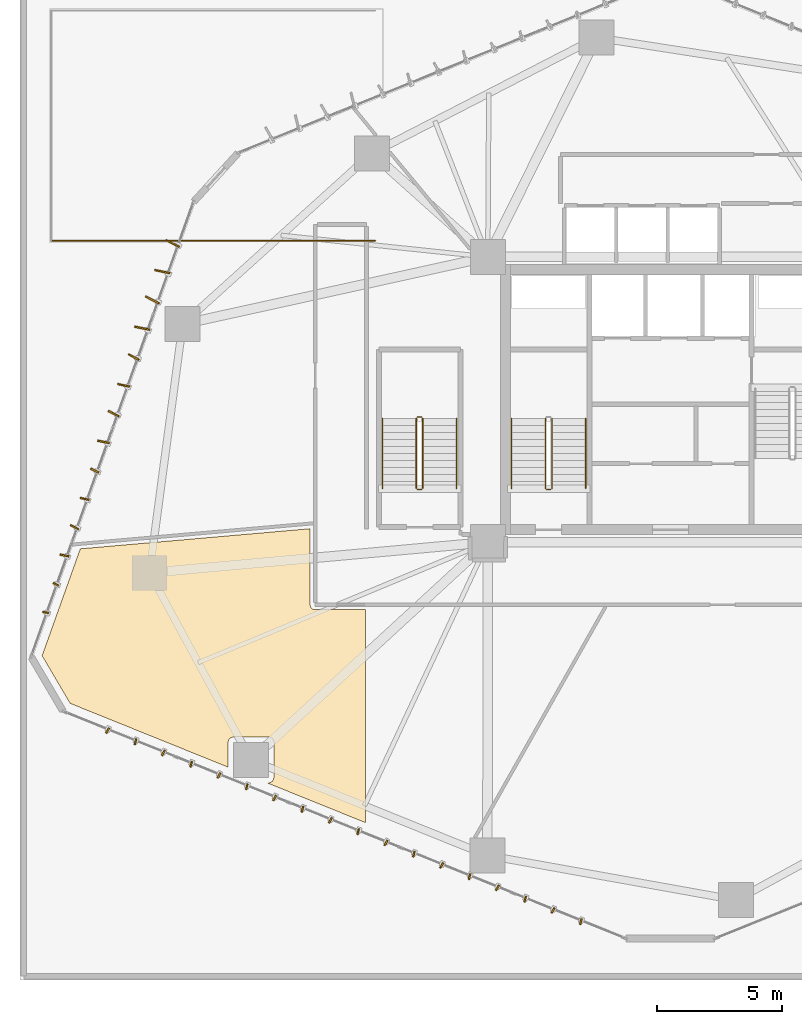
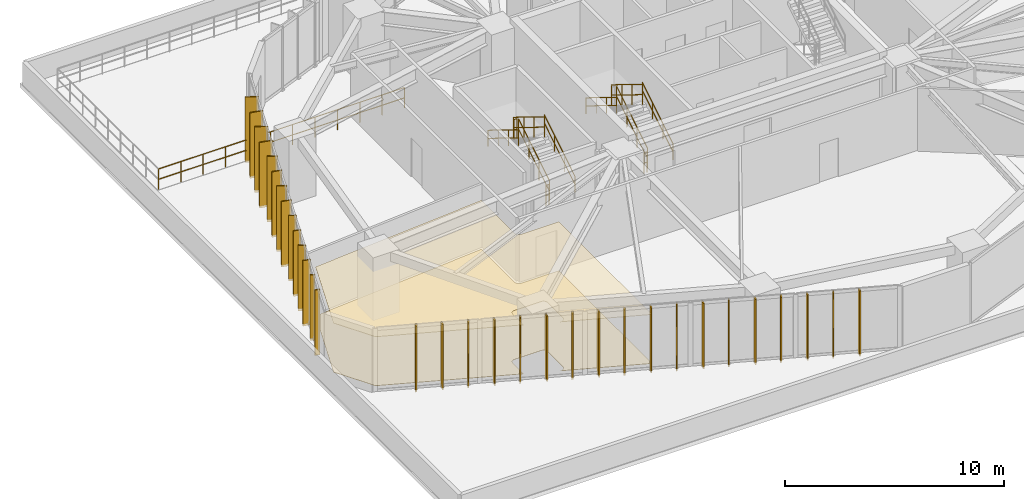
# One storey, part 21 of 23: 32 shading devices, 12 railings, 2 coverings.
"""IFC4 building model written with IfcOpenShell, lengths in metres."""

from ifc_helpers import new_model, si_unit, direction, frame, origin, origin_2d, place, context, subcontext, project, spatial, polyline, rectangle, circle, outline, extrude, source, transform, mapped, material, layer, layer_set, type_object, type_shapes, element, save


model = new_model("IFC4")

# Units and contexts
model_context = context("Model", 3, precision=1e-05, world=origin(), true_north=direction((0.0, 1.0)))
body_context = subcontext(model_context, "Body", "Model", "MODEL_VIEW")
ifc_project = project(units=[si_unit("LENGTHUNIT", "METRE"), si_unit("AREAUNIT", "SQUARE_METRE"), si_unit("VOLUMEUNIT", "CUBIC_METRE"), si_unit("PLANEANGLEUNIT", "RADIAN"), si_unit("MASSUNIT", "GRAM", prefix="KILO")], contexts=[model_context])

# Site, building, storey
site_placement = place(None, origin())
site = spatial("IfcSite", under=ifc_project, at=site_placement, CompositionType="ELEMENT")
building_placement = place(site_placement, origin())
building = spatial("IfcBuilding", under=site, at=building_placement, Name="Talar Marvaseh", CompositionType="ELEMENT")
storey_placement = place(building_placement, frame((0.0, 0.0, 24.0)))
storey = spatial("IfcBuildingStorey", under=building, at=storey_placement, Name="L05", CompositionType="ELEMENT", Elevation=24.0)

# Railings
ifc_material_1 = material(Name="Stainless Steel Grade 316", Category="steel")
railing_type_1 = type_object("IfcRailingType", Name="Brushed Stainless Wall Pitch Handrail 900", PredefinedType="HANDRAIL", material=ifc_material_1)
railing_1_placement = place(storey_placement, frame((22.610107421875, 27.64990234375, 0.172607421875)))
element("IfcRailing", 1, at=railing_1_placement, inside=storey, type_object=railing_type_1, Name="L05 ST-1 stair handrail 1", PredefinedType="HANDRAIL", context=body_context, shape_type="SweptSolid", body=[
    extrude(circle(Radius=0.02392578125, at=origin_2d()), frame((0.0, 0.0, 0.8759765625), z_axis=(0.0, 0.851089632645, 0.525020415988), x_axis=(-1.0, 0.0, 0.0)), (0.0, 0.0, 1.0), 3.2900390625),
    extrude(circle(Radius=0.02392578125, at=origin_2d()), frame((0.0, 0.0, 0.42578125), z_axis=(0.0, 0.851089632645, 0.525020415988), x_axis=(-1.0, 0.0, 0.0)), (0.0, 0.0, 1.0), 3.2900390625),
    extrude(circle(Radius=0.02099609375, at=origin_2d()), origin(), (0.0, 0.0, 1.0), 0.851806640625),
    extrude(circle(Radius=0.02099609375, at=origin_2d()), frame((0.0, 0.933349609375, 0.57568359375)), (0.0, 0.0, 1.0), 0.851806640625),
    extrude(circle(Radius=0.02099609375, at=origin_2d()), frame((0.0, 1.86669921875, 1.151611328125)), (0.0, 0.0, 1.0), 0.851806640625),
    extrude(circle(Radius=0.02099609375, at=origin_2d()), frame((0.0, 2.800048828125, 1.727294921875)), (0.0, 0.0, 1.0), 0.851806640625),
])
railing_2_placement = place(storey_placement, frame((19.64990234375, 30.449951171875, 2.07275390625)))
element("IfcRailing", 2, at=railing_2_placement, inside=storey, type_object=railing_type_1, Name="L05 ST-1 stair handrail 2", PredefinedType="HANDRAIL", context=body_context, shape_type="SweptSolid", body=[
    extrude(circle(Radius=0.02392578125, at=origin_2d()), frame((0.0, 0.0, 0.8759765625), z_axis=(0.0, -0.851089632645, 0.525020415988), x_axis=(1.0, 0.0, 0.0)), (0.0, 0.0, 1.0), 3.2900390625),
    extrude(circle(Radius=0.02392578125, at=origin_2d()), frame((0.0, 0.0, 0.42578125), z_axis=(0.0, -0.851089632645, 0.525020415988), x_axis=(1.0, 0.0, 0.0)), (0.0, 0.0, 1.0), 3.2900390625),
    extrude(circle(Radius=0.02099609375, at=origin_2d()), origin(), (0.0, 0.0, 1.0), 0.851806640625),
    extrude(circle(Radius=0.02099609375, at=origin_2d()), frame((0.0, -0.933349609375, 0.57568359375)), (0.0, 0.0, 1.0), 0.851806640625),
    extrude(circle(Radius=0.02099609375, at=origin_2d()), frame((0.0, -1.86669921875, 1.151611328125)), (0.0, 0.0, 1.0), 0.851806640625),
    extrude(circle(Radius=0.02099609375, at=origin_2d()), frame((0.0, -2.800048828125, 1.727294921875)), (0.0, 0.0, 1.0), 0.851806640625),
])
railing_3_placement = place(storey_placement, frame((17.449951171875, 27.64990234375, 0.172607421875)))
element("IfcRailing", 3, at=railing_3_placement, inside=storey, type_object=railing_type_1, Name="L05 ST-3 stair handrail 1", PredefinedType="HANDRAIL", context=body_context, shape_type="SweptSolid", body=[
    extrude(circle(Radius=0.02392578125, at=origin_2d()), frame((0.0, 0.0, 0.8759765625), z_axis=(0.0, 0.851089632645, 0.525020415988), x_axis=(-1.0, 0.0, 0.0)), (0.0, 0.0, 1.0), 3.2900390625),
    extrude(circle(Radius=0.02392578125, at=origin_2d()), frame((0.0, 0.0, 0.42578125), z_axis=(0.0, 0.851089632645, 0.525020415988), x_axis=(-1.0, 0.0, 0.0)), (0.0, 0.0, 1.0), 3.2900390625),
    extrude(circle(Radius=0.02099609375, at=origin_2d()), origin(), (0.0, 0.0, 1.0), 0.851806640625),
    extrude(circle(Radius=0.02099609375, at=origin_2d()), frame((0.0, 0.933349609375, 0.57568359375)), (0.0, 0.0, 1.0), 0.851806640625),
    extrude(circle(Radius=0.02099609375, at=origin_2d()), frame((0.0, 1.86669921875, 1.151611328125)), (0.0, 0.0, 1.0), 0.851806640625),
    extrude(circle(Radius=0.02099609375, at=origin_2d()), frame((0.0, 2.800048828125, 1.727294921875)), (0.0, 0.0, 1.0), 0.851806640625),
])
railing_4_placement = place(storey_placement, frame((14.489990234375, 30.449951171875, 2.07275390625)))
element("IfcRailing", 4, at=railing_4_placement, inside=storey, type_object=railing_type_1, Name="L05 ST-3 stair handrail 2", PredefinedType="HANDRAIL", context=body_context, shape_type="SweptSolid", body=[
    extrude(circle(Radius=0.02392578125, at=origin_2d()), frame((0.0, 0.0, 0.8759765625), z_axis=(0.0, -0.851089632645, 0.525020415988), x_axis=(1.0, 0.0, 0.0)), (0.0, 0.0, 1.0), 3.2900390625),
    extrude(circle(Radius=0.02392578125, at=origin_2d()), frame((0.0, 0.0, 0.42578125), z_axis=(0.0, -0.851089632645, 0.525020415988), x_axis=(1.0, 0.0, 0.0)), (0.0, 0.0, 1.0), 3.2900390625),
    extrude(circle(Radius=0.02099609375, at=origin_2d()), origin(), (0.0, 0.0, 1.0), 0.851806640625),
    extrude(circle(Radius=0.02099609375, at=origin_2d()), frame((0.0, -0.933349609375, 0.57568359375)), (0.0, 0.0, 1.0), 0.851806640625),
    extrude(circle(Radius=0.02099609375, at=origin_2d()), frame((0.0, -1.86669921875, 1.151611328125)), (0.0, 0.0, 1.0), 0.851806640625),
    extrude(circle(Radius=0.02099609375, at=origin_2d()), frame((0.0, -2.800048828125, 1.727294921875)), (0.0, 0.0, 1.0), 0.851806640625),
])
ifc_material_2 = material(Name="Tempered Clear Glass", Category="glass")
railing_type_2 = type_object("IfcRailingType", Name="External Laminated Glass Terrace Balustrade 1150", PredefinedType="BALUSTRADE", material=ifc_material_2)
railing_5_placement = place(storey_placement, frame((14.199951171875, 37.550048828125, 0.0)))
element("IfcRailing", 5, at=railing_5_placement, inside=storey, type_object=railing_type_2, Name="L05 Podium Roof Garden Terrace Balustrade 1", PredefinedType="BALUSTRADE", context=body_context, shape_type="SweptSolid", body=[
    extrude(circle(Radius=0.02392578125, at=origin_2d()), frame((0.0, 0.0, 1.1259765625), z_axis=(-1.0, 0.0, 0.0), x_axis=(0.0, -1.0, 0.0)), (0.0, 0.0, 1.0), 12.949951171875),
    extrude(circle(Radius=0.02392578125, at=origin_2d()), frame((0.0, 0.0, 0.55078125), z_axis=(-1.0, 0.0, 0.0), x_axis=(0.0, -1.0, 0.0)), (0.0, 0.0, 1.0), 12.949951171875),
    extrude(circle(Radius=0.02099609375, at=origin_2d()), origin(), (0.0, 0.0, 1.0), 1.101806640625),
    extrude(circle(Radius=0.02099609375, at=origin_2d()), frame((-1.17724609375, 0.0, 0.0)), (0.0, 0.0, 1.0), 1.101806640625),
    extrude(circle(Radius=0.02099609375, at=origin_2d()), frame((-2.3544921875, 0.0, 0.0)), (0.0, 0.0, 1.0), 1.101806640625),
    extrude(circle(Radius=0.02099609375, at=origin_2d()), frame((-3.53173828125, 0.0, 0.0)), (0.0, 0.0, 1.0), 1.101806640625),
    extrude(circle(Radius=0.02099609375, at=origin_2d()), frame((-4.708984375, 0.0, 0.0)), (0.0, 0.0, 1.0), 1.101806640625),
    extrude(circle(Radius=0.02099609375, at=origin_2d()), frame((-5.88623046875, 0.0, 0.0)), (0.0, 0.0, 1.0), 1.101806640625),
    extrude(circle(Radius=0.02099609375, at=origin_2d()), frame((-7.063720703125, 0.0, 0.0)), (0.0, 0.0, 1.0), 1.101806640625),
    extrude(circle(Radius=0.02099609375, at=origin_2d()), frame((-8.240966796875, 0.0, 0.0)), (0.0, 0.0, 1.0), 1.101806640625),
    extrude(circle(Radius=0.02099609375, at=origin_2d()), frame((-9.418212890625, 0.0, 0.0)), (0.0, 0.0, 1.0), 1.101806640625),
    extrude(circle(Radius=0.02099609375, at=origin_2d()), frame((-10.595458984375, 0.0, 0.0)), (0.0, 0.0, 1.0), 1.101806640625),
    extrude(circle(Radius=0.02099609375, at=origin_2d()), frame((-11.772705078125, 0.0, 0.0)), (0.0, 0.0, 1.0), 1.101806640625),
    extrude(circle(Radius=0.02099609375, at=origin_2d()), frame((-12.949951171875, 0.0, 0.0)), (0.0, 0.0, 1.0), 1.101806640625),
])
railing_type_3 = type_object("IfcRailingType", Name="Painted Steel Core Stair Well Guardrail 1150", PredefinedType="GUARDRAIL", material=ifc_material_1)
railing_6_placement = place(storey_placement, frame((21.260009765625, 27.64990234375, 0.172607421875)))
element("IfcRailing", 6, at=railing_6_placement, inside=storey, type_object=railing_type_3, Name="L05 ST-1 stair guard 1", PredefinedType="GUARDRAIL", context=body_context, shape_type="SweptSolid", body=[
    extrude(circle(Radius=0.02392578125, at=origin_2d()), frame((0.0, 0.0, 1.1259765625), z_axis=(0.0, 0.851089632645, 0.525020415988), x_axis=(-1.0, 0.0, 0.0)), (0.0, 0.0, 1.0), 3.2900390625),
    extrude(circle(Radius=0.02392578125, at=origin_2d()), frame((0.0, 0.0, 0.55078125), z_axis=(0.0, 0.851089632645, 0.525020415988), x_axis=(-1.0, 0.0, 0.0)), (0.0, 0.0, 1.0), 3.2900390625),
    extrude(circle(Radius=0.02099609375, at=origin_2d()), origin(), (0.0, 0.0, 1.0), 1.101806640625),
    extrude(circle(Radius=0.02099609375, at=origin_2d()), frame((0.0, 0.933349609375, 0.57568359375)), (0.0, 0.0, 1.0), 1.101806640625),
    extrude(circle(Radius=0.02099609375, at=origin_2d()), frame((0.0, 1.86669921875, 1.151611328125)), (0.0, 0.0, 1.0), 1.101806640625),
    extrude(circle(Radius=0.02099609375, at=origin_2d()), frame((0.0, 2.800048828125, 1.727294921875)), (0.0, 0.0, 1.0), 1.101806640625),
])
railing_7_placement = place(storey_placement, frame((21.0, 30.449951171875, 2.07275390625)))
element("IfcRailing", 7, at=railing_7_placement, inside=storey, type_object=railing_type_3, Name="L05 ST-1 stair guard 3", PredefinedType="GUARDRAIL", context=body_context, shape_type="SweptSolid", body=[
    extrude(circle(Radius=0.02392578125, at=origin_2d()), frame((0.0, 0.0, 1.1259765625), z_axis=(0.0, -0.851089632645, 0.525020415988), x_axis=(1.0, 0.0, 0.0)), (0.0, 0.0, 1.0), 3.2900390625),
    extrude(circle(Radius=0.02392578125, at=origin_2d()), frame((0.0, 0.0, 0.55078125), z_axis=(0.0, -0.851089632645, 0.525020415988), x_axis=(1.0, 0.0, 0.0)), (0.0, 0.0, 1.0), 3.2900390625),
    extrude(circle(Radius=0.02099609375, at=origin_2d()), origin(), (0.0, 0.0, 1.0), 1.101806640625),
    extrude(circle(Radius=0.02099609375, at=origin_2d()), frame((0.0, -0.933349609375, 0.57568359375)), (0.0, 0.0, 1.0), 1.101806640625),
    extrude(circle(Radius=0.02099609375, at=origin_2d()), frame((0.0, -1.86669921875, 1.151611328125)), (0.0, 0.0, 1.0), 1.101806640625),
    extrude(circle(Radius=0.02099609375, at=origin_2d()), frame((0.0, -2.800048828125, 1.727294921875)), (0.0, 0.0, 1.0), 1.101806640625),
])
railing_8_placement = place(storey_placement, frame((21.2099609375, 27.60009765625, 0.0)))
element("IfcRailing", 8, at=railing_8_placement, inside=storey, type_object=railing_type_3, Name="L05 ST-1 stair guard 4", PredefinedType="GUARDRAIL", context=body_context, shape_type="SweptSolid", body=[
    extrude(circle(Radius=0.02392578125, at=origin_2d()), frame((0.0, 0.0, 1.1259765625), z_axis=(-1.0, 0.0, 0.0), x_axis=(0.0, -1.0, 0.0)), (0.0, 0.0, 1.0), 0.159912109375),
    extrude(circle(Radius=0.02392578125, at=origin_2d()), frame((0.0, 0.0, 0.55078125), z_axis=(-1.0, 0.0, 0.0), x_axis=(0.0, -1.0, 0.0)), (0.0, 0.0, 1.0), 0.159912109375),
    extrude(circle(Radius=0.02099609375, at=origin_2d()), origin(), (0.0, 0.0, 1.0), 1.101806640625),
    extrude(circle(Radius=0.02099609375, at=origin_2d()), frame((-0.159912109375, 0.0, 0.0)), (0.0, 0.0, 1.0), 1.101806640625),
])
railing_9_placement = place(storey_placement, frame((16.10009765625, 27.64990234375, 0.172607421875)))
element("IfcRailing", 9, at=railing_9_placement, inside=storey, type_object=railing_type_3, Name="L05 ST-3 stair guard 1", PredefinedType="GUARDRAIL", context=body_context, shape_type="SweptSolid", body=[
    extrude(circle(Radius=0.02392578125, at=origin_2d()), frame((0.0, 0.0, 1.1259765625), z_axis=(0.0, 0.851089632645, 0.525020415988), x_axis=(-1.0, 0.0, 0.0)), (0.0, 0.0, 1.0), 3.2900390625),
    extrude(circle(Radius=0.02392578125, at=origin_2d()), frame((0.0, 0.0, 0.55078125), z_axis=(0.0, 0.851089632645, 0.525020415988), x_axis=(-1.0, 0.0, 0.0)), (0.0, 0.0, 1.0), 3.2900390625),
    extrude(circle(Radius=0.02099609375, at=origin_2d()), origin(), (0.0, 0.0, 1.0), 1.101806640625),
    extrude(circle(Radius=0.02099609375, at=origin_2d()), frame((0.0, 0.933349609375, 0.57568359375)), (0.0, 0.0, 1.0), 1.101806640625),
    extrude(circle(Radius=0.02099609375, at=origin_2d()), frame((0.0, 1.86669921875, 1.151611328125)), (0.0, 0.0, 1.0), 1.101806640625),
    extrude(circle(Radius=0.02099609375, at=origin_2d()), frame((0.0, 2.800048828125, 1.727294921875)), (0.0, 0.0, 1.0), 1.101806640625),
])
railing_10_placement = place(storey_placement, frame((16.050048828125, 30.5, 1.89990234375)))
element("IfcRailing", 10, at=railing_10_placement, inside=storey, type_object=railing_type_3, Name="L05 ST-3 stair guard 2", PredefinedType="GUARDRAIL", context=body_context, shape_type="SweptSolid", body=[
    extrude(circle(Radius=0.02392578125, at=origin_2d()), frame((0.0, 0.0, 1.1259765625), z_axis=(-1.0, 0.0, 0.0), x_axis=(0.0, -1.0, 0.0)), (0.0, 0.0, 1.0), 0.16015625),
    extrude(circle(Radius=0.02392578125, at=origin_2d()), frame((0.0, 0.0, 0.55078125), z_axis=(-1.0, 0.0, 0.0), x_axis=(0.0, -1.0, 0.0)), (0.0, 0.0, 1.0), 0.16015625),
    extrude(circle(Radius=0.02099609375, at=origin_2d()), origin(), (0.0, 0.0, 1.0), 1.101806640625),
    extrude(circle(Radius=0.02099609375, at=origin_2d()), frame((-0.16015625, 0.0, 0.0)), (0.0, 0.0, 1.0), 1.101806640625),
])
railing_11_placement = place(storey_placement, frame((15.840087890625, 30.449951171875, 2.07275390625)))
element("IfcRailing", 11, at=railing_11_placement, inside=storey, type_object=railing_type_3, Name="L05 ST-3 stair guard 3", PredefinedType="GUARDRAIL", context=body_context, shape_type="SweptSolid", body=[
    extrude(circle(Radius=0.02392578125, at=origin_2d()), frame((0.0, 0.0, 1.1259765625), z_axis=(0.0, -0.851089632645, 0.525020415988), x_axis=(1.0, 0.0, 0.0)), (0.0, 0.0, 1.0), 3.2900390625),
    extrude(circle(Radius=0.02392578125, at=origin_2d()), frame((0.0, 0.0, 0.55078125), z_axis=(0.0, -0.851089632645, 0.525020415988), x_axis=(1.0, 0.0, 0.0)), (0.0, 0.0, 1.0), 3.2900390625),
    extrude(circle(Radius=0.02099609375, at=origin_2d()), origin(), (0.0, 0.0, 1.0), 1.101806640625),
    extrude(circle(Radius=0.02099609375, at=origin_2d()), frame((0.0, -0.933349609375, 0.57568359375)), (0.0, 0.0, 1.0), 1.101806640625),
    extrude(circle(Radius=0.02099609375, at=origin_2d()), frame((0.0, -1.86669921875, 1.151611328125)), (0.0, 0.0, 1.0), 1.101806640625),
    extrude(circle(Radius=0.02099609375, at=origin_2d()), frame((0.0, -2.800048828125, 1.727294921875)), (0.0, 0.0, 1.0), 1.101806640625),
])
railing_12_placement = place(storey_placement, frame((16.050048828125, 27.60009765625, 0.0)))
element("IfcRailing", 12, at=railing_12_placement, inside=storey, type_object=railing_type_3, Name="L05 ST-3 stair guard 4", PredefinedType="GUARDRAIL", context=body_context, shape_type="SweptSolid", body=[
    extrude(circle(Radius=0.02392578125, at=origin_2d()), frame((0.0, 0.0, 1.1259765625), z_axis=(-1.0, 0.0, 0.0), x_axis=(0.0, -1.0, 0.0)), (0.0, 0.0, 1.0), 0.16015625),
    extrude(circle(Radius=0.02392578125, at=origin_2d()), frame((0.0, 0.0, 0.55078125), z_axis=(-1.0, 0.0, 0.0), x_axis=(0.0, -1.0, 0.0)), (0.0, 0.0, 1.0), 0.16015625),
    extrude(circle(Radius=0.02099609375, at=origin_2d()), origin(), (0.0, 0.0, 1.0), 1.101806640625),
    extrude(circle(Radius=0.02099609375, at=origin_2d()), frame((-0.16015625, 0.0, 0.0)), (0.0, 0.0, 1.0), 1.101806640625),
])

# Coverings
ifc_material_3 = material(Name="Mineral Fibre Acoustic Ceiling")
ifc_layer_1 = layer(ifc_material_3, 0.02490234375)
ifc_layer_set_1 = layer_set([ifc_layer_1], Name="Mineral Fibre Acoustic Ceiling")
covering_type_1 = type_object("IfcCoveringType", Name="Perforated Mineral Fibre Acoustic Suspended Ceiling", PredefinedType="CEILING", material=ifc_layer_set_1)
covering_1_placement = place(storey_placement, frame((0.0, 0.0, 2.719970703125)))
element("IfcCovering", 13, at=covering_1_placement, inside=storey, type_object=covering_type_1, Name="L05 Exhibition Gallery Acoustic Ceiling", PredefinedType="CEILING", context=body_context, shape_type="SweptSolid", body=[
    extrude(outline(polyline([(9.931884765625, 15.881103515625), (9.94970703125, 15.8818359375), (9.96728515625, 15.884033203125), (9.984619140625, 15.887939453125), (10.00146484375, 15.893310546875), (10.017578125, 15.900390625), (10.029296875, 15.90576171875), (10.04736328125, 15.91552734375), (10.064208984375, 15.927001953125), (10.079833984375, 15.940185546875), (10.093994140625, 15.954833984375), (10.106689453125, 15.970947265625), (10.117919921875, 15.98828125), (10.126953125, 16.006591796875), (10.134033203125, 16.025634765625), (10.139404296875, 16.04541015625), (10.142578125, 16.065673828125), (10.1435546875, 16.0859375), (10.14697265625, 17.49560546875), (10.14599609375, 17.51513671875), (10.143310546875, 17.53466796875), (10.138427734375, 17.553955078125), (10.1318359375, 17.572509765625), (10.123291015625, 17.59033203125), (10.11328125, 17.607177734375), (10.10400390625, 17.62109375), (10.09228515625, 17.636962890625), (10.0791015625, 17.651611328125), (10.064453125, 17.66455078125), (10.048583984375, 17.67626953125), (10.03173828125, 17.686279296875), (10.013916015625, 17.69482421875), (9.995361328125, 17.701416015625), (9.976318359375, 17.7060546875), (9.956787109375, 17.708984375), (9.937255859375, 17.7099609375), (8.52099609375, 17.70654296875), (8.50146484375, 17.70556640625), (8.482177734375, 17.70263671875), (8.463134765625, 17.697998046875), (8.444580078125, 17.69140625), (8.427001953125, 17.682861328125), (8.410400390625, 17.6728515625), (8.39453125, 17.6611328125), (8.380126953125, 17.648193359375), (8.366943359375, 17.633544921875), (8.355224609375, 17.617919921875), (8.34521484375, 17.601318359375), (8.3369140625, 17.58349609375), (8.330078125, 17.565185546875), (8.3251953125, 17.546142578125), (8.322509765625, 17.52685546875), (8.3212890625, 17.50732421875), (8.318115234375, 16.507568359375), (2.002685546875, 19.05810546875), (0.883544921875, 20.963134765625), (2.409423828125, 25.2353515625), (11.60009765625, 26.039306640625), (11.60009765625, 23.0), (11.60107421875, 22.98046875), (11.603759765625, 22.9609375), (11.608642578125, 22.94189453125), (11.615234375, 22.923583984375), (11.62353515625, 22.90576171875), (11.6337890625, 22.888916015625), (11.6455078125, 22.873046875), (11.65869140625, 22.858642578125), (11.673095703125, 22.845458984375), (11.68896484375, 22.833740234375), (11.705810546875, 22.823486328125), (11.723388671875, 22.815185546875), (11.741943359375, 22.80859375), (11.760986328125, 22.8037109375), (11.780517578125, 22.801025390625), (11.800048828125, 22.800048828125), (13.800048828125, 22.800048828125), (13.800048828125, 14.293701171875), (9.869384765625, 15.881103515625), (9.931884765625, 15.881103515625)])), origin(), (0.0, 0.0, 1.0), 0.025146484375),
])
ifc_material_4 = material(Name="Porcelain Stoneware Tile", Category="masonry")
ifc_layer_2 = layer(ifc_material_4, 0.02001953125)
ifc_layer_set_2 = layer_set([ifc_layer_2], Name="Porcelain Stoneware Tile")
covering_type_2 = type_object("IfcCoveringType", Name="Polished Porcelain Stoneware Gallery Flooring", PredefinedType="FLOORING", material=ifc_layer_set_2)
covering_2_placement = place(storey_placement, origin())
element("IfcCovering", 14, at=covering_2_placement, inside=storey, type_object=covering_type_2, Name="L05 Exhibition Gallery Flooring", PredefinedType="FLOORING", context=body_context, shape_type="SweptSolid", body=[
    extrude(outline(polyline([(9.931884765625, 15.881103515625), (9.94970703125, 15.8818359375), (9.96728515625, 15.884033203125), (9.984619140625, 15.887939453125), (10.00146484375, 15.893310546875), (10.017578125, 15.900390625), (10.029296875, 15.90576171875), (10.04736328125, 15.91552734375), (10.064208984375, 15.927001953125), (10.079833984375, 15.940185546875), (10.093994140625, 15.954833984375), (10.106689453125, 15.970947265625), (10.117919921875, 15.98828125), (10.126953125, 16.006591796875), (10.134033203125, 16.025634765625), (10.139404296875, 16.04541015625), (10.142578125, 16.065673828125), (10.1435546875, 16.0859375), (10.14697265625, 17.49560546875), (10.14599609375, 17.51513671875), (10.143310546875, 17.53466796875), (10.138427734375, 17.553955078125), (10.1318359375, 17.572509765625), (10.123291015625, 17.59033203125), (10.11328125, 17.607177734375), (10.10400390625, 17.62109375), (10.09228515625, 17.636962890625), (10.0791015625, 17.651611328125), (10.064453125, 17.66455078125), (10.048583984375, 17.67626953125), (10.03173828125, 17.686279296875), (10.013916015625, 17.69482421875), (9.995361328125, 17.701416015625), (9.976318359375, 17.7060546875), (9.956787109375, 17.708984375), (9.937255859375, 17.7099609375), (8.52099609375, 17.70654296875), (8.50146484375, 17.70556640625), (8.482177734375, 17.70263671875), (8.463134765625, 17.697998046875), (8.444580078125, 17.69140625), (8.427001953125, 17.682861328125), (8.410400390625, 17.6728515625), (8.39453125, 17.6611328125), (8.380126953125, 17.648193359375), (8.366943359375, 17.633544921875), (8.355224609375, 17.617919921875), (8.34521484375, 17.601318359375), (8.3369140625, 17.58349609375), (8.330078125, 17.565185546875), (8.3251953125, 17.546142578125), (8.322509765625, 17.52685546875), (8.3212890625, 17.50732421875), (8.318115234375, 16.507568359375), (2.002685546875, 19.05810546875), (0.883544921875, 20.963134765625), (2.409423828125, 25.2353515625), (11.60009765625, 26.039306640625), (11.60009765625, 23.0), (11.60107421875, 22.98046875), (11.603759765625, 22.9609375), (11.608642578125, 22.94189453125), (11.615234375, 22.923583984375), (11.62353515625, 22.90576171875), (11.6337890625, 22.888916015625), (11.6455078125, 22.873046875), (11.65869140625, 22.858642578125), (11.673095703125, 22.845458984375), (11.68896484375, 22.833740234375), (11.705810546875, 22.823486328125), (11.723388671875, 22.815185546875), (11.741943359375, 22.80859375), (11.760986328125, 22.8037109375), (11.780517578125, 22.801025390625), (11.800048828125, 22.800048828125), (13.800048828125, 22.800048828125), (13.800048828125, 14.293701171875), (9.869384765625, 15.881103515625), (9.931884765625, 15.881103515625)])), origin(), (0.0, 0.0, 1.0), 0.02001953125),
])

# Shading devices
ifc_material_5 = material(Name="Anodised Champagne Bronze Aluminium", Category="aluminium")
ifc_layer_3 = layer(ifc_material_5, 0.06494140625)
ifc_layer_set_3 = layer_set([ifc_layer_3], Name="Anodised Champagne Bronze Aluminium")
shading_device_type_1 = type_object("IfcShadingDeviceType", Name="Sawtooth Champagne Bronze Vertical Fin 240", PredefinedType="USERDEFINED", material=ifc_layer_set_3)
shared_shape_1 = source(origin(), body_context, "Body", "SweptSolid", [
    extrude(rectangle(XDim=0.239990234375, YDim=0.06494140625, at=origin_2d()), origin(), (0.0, 0.0, 1.0), 3.639892578125),
])
type_shapes(shading_device_type_1, [shared_shape_1])
for number, where, z_axis, x_axis, name in (
    (15, (1.027587890625, 22.689697265625, -0.1201171875), (0.0, 0.0, 1.0), (-0.979399403038, 0.201932685142, 0.0), "L05 Sawtooth Vertical Solar Fin"),
    (16, (1.431396484375, 23.81982421875, -0.1201171875), (0.0, 0.0, 1.0), (-0.88579893978, 0.464069217127, 0.0), "L05 Sawtooth Vertical Solar Fin"),
    (17, (22.41845703125, 10.3330078125, -0.1201171875), (0.0, 0.0, 1.0), (-0.241752543364, -0.970337934833, 0.0), "L05 Sawtooth Vertical Solar Fin"),
    (18, (21.305908203125, 10.782470703125, -0.1201171875), (0.0, 0.0, 1.0), (-0.499848842438, -0.866112657056, 0.0), "L05 Sawtooth Vertical Solar Fin"),
    (19, (20.193115234375, 11.231689453125, -0.1201171875), (0.0, 0.0, 1.0), (-0.241752543364, -0.970337934833, 0.0), "L05 Sawtooth Vertical Solar Fin"),
    (20, (19.08056640625, 11.68115234375, -0.1201171875), (0.0, 0.0, 1.0), (-0.499848842438, -0.866112657056, 0.0), "L05 Sawtooth Vertical Solar Fin"),
    (21, (17.9677734375, 12.130615234375, -0.1201171875), (0.0, 0.0, 1.0), (-0.241752543364, -0.970337934833, 0.0), "L05 Sawtooth Vertical Solar Fin"),
    (22, (16.85498046875, 12.579833984375, -0.1201171875), (0.0, 0.0, 1.0), (-0.499848842438, -0.866112657056, 0.0), "L05 Sawtooth Vertical Solar Fin"),
    (23, (15.742431640625, 13.029296875, -0.1201171875), (0.0, 0.0, 1.0), (-0.241752543364, -0.970337934833, 0.0), "L05 Sawtooth Vertical Solar Fin"),
    (24, (14.629638671875, 13.478515625, -0.1201171875), (0.0, 0.0, 1.0), (-0.499848842438, -0.866112657056, 0.0), "L05 Sawtooth Vertical Solar Fin"),
    (25, (13.51708984375, 13.927978515625, -0.1201171875), (0.0, 0.0, 1.0), (-0.241752543364, -0.970337934833, 0.0), "L05 Sawtooth Vertical Solar Fin"),
    (26, (12.404296875, 14.377197265625, -0.1201171875), (0.0, 0.0, 1.0), (-0.499848842438, -0.866112657056, 0.0), "L05 Sawtooth Vertical Solar Fin"),
    (27, (11.29150390625, 14.82666015625, -0.1201171875), (0.0, 0.0, 1.0), (-0.241752543364, -0.970337934833, 0.0), "L05 Sawtooth Vertical Solar Fin"),
    (28, (10.178955078125, 15.27587890625, -0.1201171875), (0.0, 0.0, 1.0), (-0.499848842438, -0.866112657056, 0.0), "L05 Sawtooth Vertical Solar Fin"),
    (29, (9.06640625, 15.725341796875, -0.1201171875), (0.0, 0.0, 1.0), (-0.241752543364, -0.970337934833, 0.0), "L05 Sawtooth Vertical Solar Fin"),
    (30, (7.95361328125, 16.1748046875, -0.1201171875), (0.0, 0.0, 1.0), (-0.499848842438, -0.866112657056, 0.0), "L05 Sawtooth Vertical Solar Fin"),
    (31, (6.8408203125, 16.6240234375, -0.1201171875), (0.0, 0.0, 1.0), (-0.241752543364, -0.970337934833, 0.0), "L05 Sawtooth Vertical Solar Fin"),
    (32, (5.728271484375, 17.073486328125, -0.1201171875), (0.0, 0.0, 1.0), (-0.499848842438, -0.866112657056, 0.0), "L05 Sawtooth Vertical Solar Fin"),
    (33, (4.615478515625, 17.522705078125, -0.1201171875), (0.0, 0.0, 1.0), (-0.241752543364, -0.970337934833, 0.0), "L05 Sawtooth Vertical Solar Fin"),
    (34, (3.502685546875, 17.97216796875, -0.1201171875), (0.0, 0.0, 1.0), (-0.499848842438, -0.866112657056, 0.0), "L05 Sawtooth Vertical Solar Fin"),
):
    element("IfcShadingDevice", number, at=place(storey_placement, frame(where, z_axis=z_axis, x_axis=x_axis)), inside=storey, type_object=shading_device_type_1, Name=name, ObjectType="FIN", PredefinedType="USERDEFINED", context=body_context, shape_type="MappedRepresentation", body=[
        mapped(shared_shape_1, transform((0.0, 0.0, 0.0), x_axis=(1.0, 0.0, 0.0), y_axis=(0.0, 1.0, 0.0), z_axis=(0.0, 0.0, 1.0), scale=1.0)),
    ])
ifc_layer_4 = layer(ifc_material_5, 0.06494140625)
ifc_layer_set_4 = layer_set([ifc_layer_4], Name="Anodised Champagne Bronze Aluminium")
shading_device_type_2 = type_object("IfcShadingDeviceType", Name="Sawtooth Champagne Bronze Vertical Fin 360", PredefinedType="USERDEFINED", material=ifc_layer_set_4)
shared_shape_2 = source(origin(), body_context, "Body", "SweptSolid", [
    extrude(rectangle(XDim=0.360107421875, YDim=0.06494140625, at=origin_2d()), origin(), (0.0, 0.0, 1.0), 3.639892578125),
])
type_shapes(shading_device_type_2, [shared_shape_2])
for number, where, z_axis, x_axis, name in (
    (35, (1.7783203125, 24.97021484375, -0.1201171875), (0.0, 0.0, 1.0), (-0.979399403038, 0.201932685142, 0.0), "L05 Sawtooth Vertical Solar Fin"),
    (36, (2.181884765625, 26.10009765625, -0.1201171875), (0.0, 0.0, 1.0), (-0.88579893978, 0.464069217127, 0.0), "L05 Sawtooth Vertical Solar Fin"),
    (37, (2.585693359375, 27.230224609375, -0.1201171875), (0.0, 0.0, 1.0), (-0.979399403038, 0.201932685142, 0.0), "L05 Sawtooth Vertical Solar Fin"),
    (38, (2.9892578125, 28.3603515625, -0.1201171875), (0.0, 0.0, 1.0), (-0.88579893978, 0.464069217127, 0.0), "L05 Sawtooth Vertical Solar Fin"),
):
    element("IfcShadingDevice", number, at=place(storey_placement, frame(where, z_axis=z_axis, x_axis=x_axis)), inside=storey, type_object=shading_device_type_2, Name=name, ObjectType="FIN", PredefinedType="USERDEFINED", context=body_context, shape_type="MappedRepresentation", body=[
        mapped(shared_shape_2, transform((0.0, 0.0, 0.0), x_axis=(1.0, 0.0, 0.0), y_axis=(0.0, 1.0, 0.0), z_axis=(0.0, 0.0, 1.0), scale=1.0)),
    ])
ifc_layer_5 = layer(ifc_material_5, 0.06494140625)
ifc_layer_set_5 = layer_set([ifc_layer_5], Name="Anodised Champagne Bronze Aluminium")
shading_device_type_3 = type_object("IfcShadingDeviceType", Name="Sawtooth Champagne Bronze Vertical Fin 480", PredefinedType="USERDEFINED", material=ifc_layer_set_5)
shared_shape_3 = source(origin(), body_context, "Body", "SweptSolid", [
    extrude(rectangle(XDim=0.47998046875, YDim=0.06494140625, at=origin_2d()), origin(), (0.0, 0.0, 1.0), 3.639892578125),
])
type_shapes(shading_device_type_3, [shared_shape_3])
for number, where, z_axis, x_axis, name in (
    (39, (3.336181640625, 29.510498046875, -0.1201171875), (0.0, 0.0, 1.0), (-0.979399403038, 0.201932685142, 0.0), "L05 Sawtooth Vertical Solar Fin"),
    (40, (3.739990234375, 30.640625, -0.1201171875), (0.0, 0.0, 1.0), (-0.88579893978, 0.464069217127, 0.0), "L05 Sawtooth Vertical Solar Fin"),
    (41, (4.1435546875, 31.770751953125, -0.1201171875), (0.0, 0.0, 1.0), (-0.979399403038, 0.201932685142, 0.0), "L05 Sawtooth Vertical Solar Fin"),
    (42, (4.547119140625, 32.90087890625, -0.1201171875), (0.0, 0.0, 1.0), (-0.88579893978, 0.464069217127, 0.0), "L05 Sawtooth Vertical Solar Fin"),
):
    element("IfcShadingDevice", number, at=place(storey_placement, frame(where, z_axis=z_axis, x_axis=x_axis)), inside=storey, type_object=shading_device_type_3, Name=name, ObjectType="FIN", PredefinedType="USERDEFINED", context=body_context, shape_type="MappedRepresentation", body=[
        mapped(shared_shape_3, transform((0.0, 0.0, 0.0), x_axis=(1.0, 0.0, 0.0), y_axis=(0.0, 1.0, 0.0), z_axis=(0.0, 0.0, 1.0), scale=1.0)),
    ])
ifc_layer_6 = layer(ifc_material_5, 0.06494140625)
ifc_layer_set_6 = layer_set([ifc_layer_6], Name="Anodised Champagne Bronze Aluminium")
shading_device_type_4 = type_object("IfcShadingDeviceType", Name="Sawtooth Champagne Bronze Vertical Fin 620", PredefinedType="USERDEFINED", material=ifc_layer_set_6)
shared_shape_4 = source(origin(), body_context, "Body", "SweptSolid", [
    extrude(rectangle(XDim=0.6201171875, YDim=0.06494140625, at=origin_2d()), origin(), (0.0, 0.0, 1.0), 3.639892578125),
])
type_shapes(shading_device_type_4, [shared_shape_4])
for number, where, z_axis, x_axis, name in (
    (43, (4.884765625, 34.054443359375, -0.1201171875), (0.0, 0.0, 1.0), (-0.979399403038, 0.201932685142, 0.0), "L05 Sawtooth Vertical Solar Fin"),
    (44, (5.288330078125, 35.1845703125, -0.1201171875), (0.0, 0.0, 1.0), (-0.88579893978, 0.464069217127, 0.0), "L05 Sawtooth Vertical Solar Fin"),
    (45, (5.69189453125, 36.314697265625, -0.1201171875), (0.0, 0.0, 1.0), (-0.979399403038, 0.201932685142, 0.0), "L05 Sawtooth Vertical Solar Fin"),
    (46, (6.095703125, 37.44482421875, -0.1201171875), (0.0, 0.0, 1.0), (-0.88579893978, 0.464069217127, 0.0), "L05 Sawtooth Vertical Solar Fin"),
):
    element("IfcShadingDevice", number, at=place(storey_placement, frame(where, z_axis=z_axis, x_axis=x_axis)), inside=storey, type_object=shading_device_type_4, Name=name, ObjectType="FIN", PredefinedType="USERDEFINED", context=body_context, shape_type="MappedRepresentation", body=[
        mapped(shared_shape_4, transform((0.0, 0.0, 0.0), x_axis=(1.0, 0.0, 0.0), y_axis=(0.0, 1.0, 0.0), z_axis=(0.0, 0.0, 1.0), scale=1.0)),
    ])

save(model, "model.ifc")
